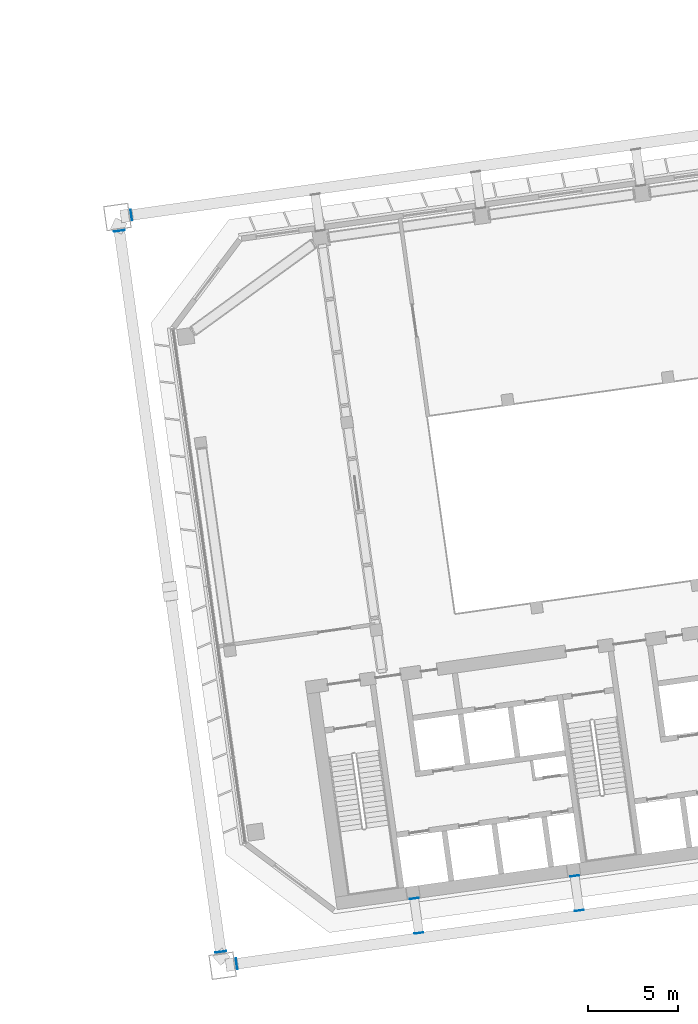
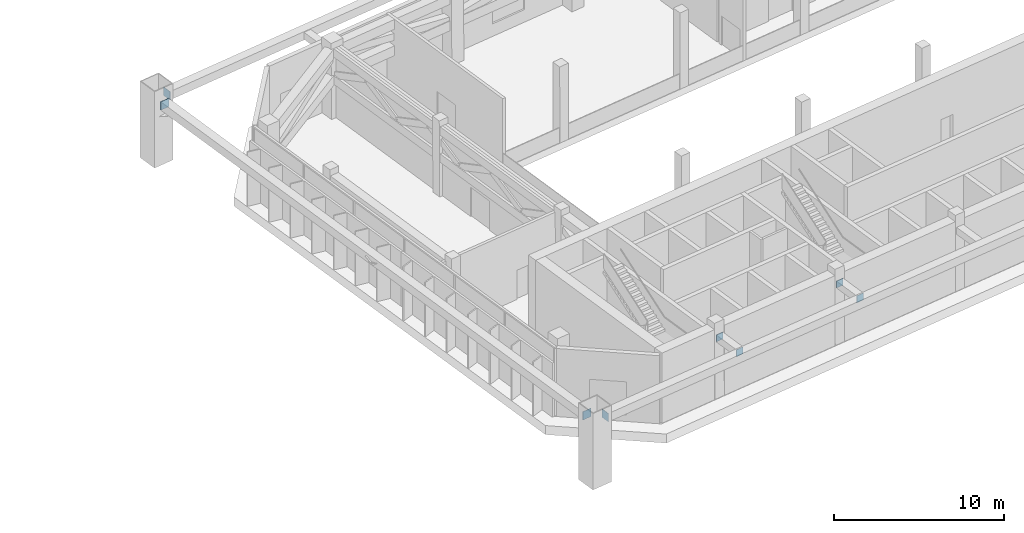
# One storey, part 34 of 41: 8 discrete accessories.
"""IFC4 building model written with IfcOpenShell, lengths in metres."""

from ifc_helpers import new_model, si_unit, direction, frame, origin, origin_2d, place, context, subcontext, project, spatial, rectangle, extrude, material, material_profile, profile_set, type_object, element, save


model = new_model("IFC4")

# Units and contexts
model_context = context("Model", 3, precision=1e-05, world=origin(), true_north=direction((0.0, 1.0)))
body_context = subcontext(model_context, "Body", "Model", "MODEL_VIEW")
ifc_project = project(units=[si_unit("LENGTHUNIT", "METRE"), si_unit("AREAUNIT", "SQUARE_METRE"), si_unit("VOLUMEUNIT", "CUBIC_METRE"), si_unit("PLANEANGLEUNIT", "RADIAN"), si_unit("MASSUNIT", "GRAM", prefix="KILO")], contexts=[model_context])

# Site, building, storey
site_placement = place(None, origin())
site = spatial("IfcSite", under=ifc_project, at=site_placement, CompositionType="ELEMENT")
building_placement = place(site_placement, origin())
building = spatial("IfcBuilding", under=site, at=building_placement, Name="Mirante Cascada Hotel Towers", CompositionType="ELEMENT")
storey_placement = place(building_placement, frame((0.0, 0.0, 151.9)))
storey = spatial("IfcBuildingStorey", under=building, at=storey_placement, Name="L35", CompositionType="ELEMENT", Elevation=151.9)

# Discrete accessories
ifc_material_1 = material(Name="Steel ASTM A572 Gr 50", Category="steel")
ifc_material_profile_1 = material_profile(ifc_material_1, rectangle(XDim=0.5, YDim=0.5, at=origin_2d()), Name="Connection plate 500x500x25 ASTM A572 Gr 50")
ifc_profile_set_1 = profile_set([ifc_material_profile_1], Name="Steel ASTM A572 Gr 50")
discrete_accessory_type_1 = type_object("IfcDiscreteAccessoryType", Name="Connection plate 500x500x25 ASTM A572 Gr 50", PredefinedType="BRACKET", material=ifc_profile_set_1)
for number, where, z_axis, x_axis, name in (
    (1, (41.5392, -19.3302, 4.35), (0.1397442, -0.9901876, 0.0), (0.9901876, 0.1397442, 0.0), "Connection plate TIE"),
    (2, (41.8092, -21.2513, 4.35), (0.1397442, -0.9901876, 0.0), (0.9901876, 0.1397442, 0.0), "Connection plate TIE"),
):
    element("IfcDiscreteAccessory", number, at=place(storey_placement, frame(where, z_axis=z_axis, x_axis=x_axis)), inside=storey, type_object=discrete_accessory_type_1, Name=name, PredefinedType="BRACKET", context=body_context, shape_type="SweptSolid", body=[
        extrude(rectangle(XDim=0.5, YDim=0.5, at=origin_2d()), origin(), (0.0, 0.0, 1.0), 0.025),
    ])
for number, where, z_axis, x_axis, name in (
    (3, (50.4516, -18.0777, 4.35), (0.1402989, -0.9901092, 0.0), (0.9901092, 0.1402989, 0.0), "Connection plate TIE"),
    (4, (50.7216, -19.9988, 4.35), (0.1402989, -0.9901092, 0.0), (0.9901092, 0.1402989, 0.0), "Connection plate TIE"),
):
    element("IfcDiscreteAccessory", number, at=place(storey_placement, frame(where, z_axis=z_axis, x_axis=x_axis)), inside=storey, type_object=discrete_accessory_type_1, Name=name, PredefinedType="BRACKET", context=body_context, shape_type="SweptSolid", body=[
        extrude(rectangle(XDim=0.5, YDim=0.5, at=origin_2d()), origin(), (0.0, 0.0, 1.0), 0.0249),
    ])
ifc_material_2 = material(Name="Steel ASTM A572 Gr 50", Category="steel")
ifc_material_profile_2 = material_profile(ifc_material_2, rectangle(XDim=0.6, YDim=0.6, at=origin_2d()), Name="Connection plate 600x600x25 ASTM A572 Gr 50")
ifc_profile_set_2 = profile_set([ifc_material_profile_2], Name="Steel ASTM A572 Gr 50")
discrete_accessory_type_2 = type_object("IfcDiscreteAccessoryType", Name="Connection plate 600x600x25 ASTM A572 Gr 50", PredefinedType="BRACKET", material=ifc_profile_set_2)
discrete_accessory_1_placement = place(storey_placement, frame((25.8215, 18.6191, 4.35), z_axis=(0.9901092, 0.1402989, 0.0), x_axis=(-0.1402989, 0.9901092, 0.0)))
element("IfcDiscreteAccessory", 5, at=discrete_accessory_1_placement, inside=storey, type_object=discrete_accessory_type_2, Name="Connection plate NCH", PredefinedType="BRACKET", context=body_context, shape_type="SweptSolid", body=[
    extrude(rectangle(XDim=0.6, YDim=0.6, at=origin_2d()), origin(), (0.0, 0.0, 1.0), 0.0249),
])
discrete_accessory_2_placement = place(storey_placement, frame((31.6667, -22.9721, 4.35), z_axis=(0.9907327, 0.1358263, 0.0), x_axis=(-0.1358263, 0.9907327, 0.0)))
element("IfcDiscreteAccessory", 6, at=discrete_accessory_2_placement, inside=storey, type_object=discrete_accessory_type_2, Name="Connection plate NCH", PredefinedType="BRACKET", context=body_context, shape_type="SweptSolid", body=[
    extrude(rectangle(XDim=0.6, YDim=0.6, at=origin_2d()), origin(), (0.0, 0.0, 1.0), 0.025),
])
discrete_accessory_3_placement = place(storey_placement, frame((30.7999, -22.3189, 4.35), z_axis=(-0.1402989, 0.9901092, 0.0), x_axis=(-0.9901092, -0.1402989, 0.0)))
element("IfcDiscreteAccessory", 7, at=discrete_accessory_3_placement, inside=storey, type_object=discrete_accessory_type_2, Name="Connection plate NCH", PredefinedType="BRACKET", context=body_context, shape_type="SweptSolid", body=[
    extrude(rectangle(XDim=0.6, YDim=0.6, at=origin_2d()), origin(), (0.0, 0.0, 1.0), 0.0249),
])
discrete_accessory_4_placement = place(storey_placement, frame((25.1717, 17.7275, 4.35), z_axis=(-0.1397442, 0.9901876, 0.0), x_axis=(-0.9901876, -0.1397442, 0.0)))
element("IfcDiscreteAccessory", 8, at=discrete_accessory_4_placement, inside=storey, type_object=discrete_accessory_type_2, Name="Connection plate NCH", PredefinedType="BRACKET", context=body_context, shape_type="SweptSolid", body=[
    extrude(rectangle(XDim=0.6, YDim=0.6, at=origin_2d()), origin(), (0.0, 0.0, 1.0), 0.025),
])

save(model, "model.ifc")
